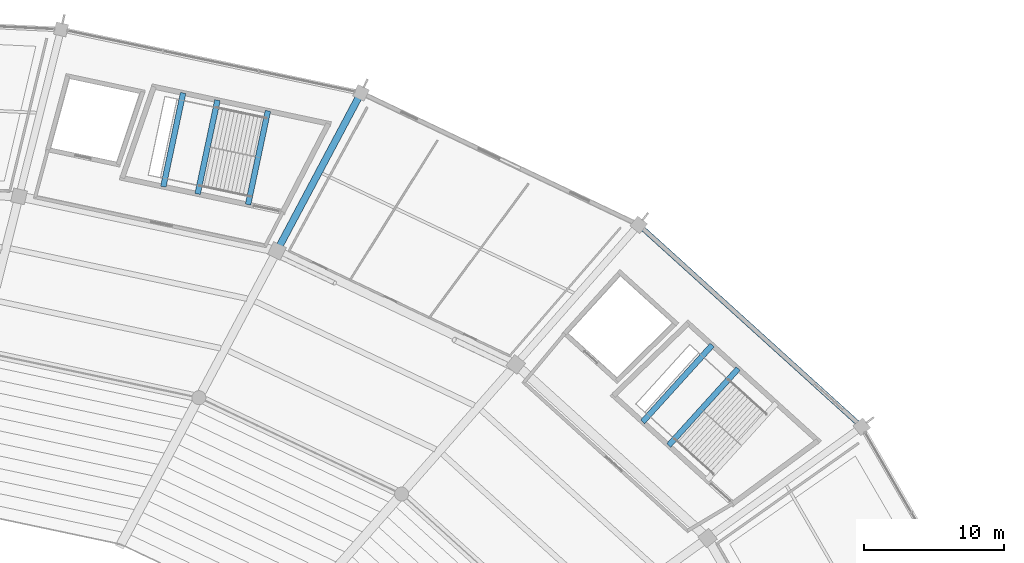
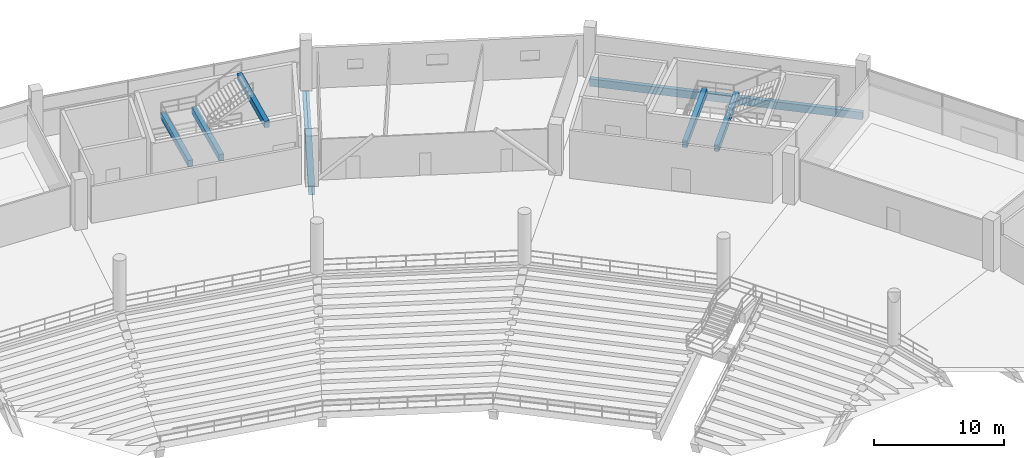
# One storey, part 92 of 156: 7 beams.
"""IFC4 building model written with IfcOpenShell, lengths in metres."""

import ifcopenshell
import ifcopenshell.guid

model = None  # the IFC model being written
_history = None  # IfcOwnerHistory: only IFC2X3 demands one
_inside = {}  # id of a spatial element -> (the spatial element, [elements in it])
_under = {}  # id of a project, library or spatial element -> (it, [spatial elements below it])
_declared = {}  # id of a project -> (the project, [libraries it declares])
_typed = {}  # id of a type object -> (the type object, [elements of that type])
_made_of = {}  # id of a material, layer set ... -> (it, [elements and type objects made of it])


def new_model(schema):
    """Start an empty IFC model of exactly this schema.

    Asked for "IFC4X3", IfcOpenShell would pick the latest addendum, in which some entities
    have other attributes; the version numbers below select the first issue.
    IFC2X3 requires an IfcOwnerHistory on every rooted entity: one is made here for all.
    """
    global model, _history
    if schema == "IFC4X3":
        model = ifcopenshell.file(schema_version=(4, 3, 0, 0))
    else:
        model = ifcopenshell.file(schema=schema)
    _inside.clear()
    _under.clear()
    _declared.clear()
    _typed.clear()
    _made_of.clear()
    _history = None
    if model.schema == "IFC2X3":
        org = make("IfcOrganization", Name="unknown")
        user = make(
            "IfcPersonAndOrganization",
            ThePerson=make("IfcPerson", FamilyName="unknown"),
            TheOrganization=org,
        )
        app = make(
            "IfcApplication",
            ApplicationDeveloper=org,
            Version="unknown",
            ApplicationFullName="unknown",
            ApplicationIdentifier="unknown",
        )
        _history = make(
            "IfcOwnerHistory",
            OwningUser=user,
            OwningApplication=app,
            ChangeAction="ADDED",
            CreationDate=0,
        )
    return model


def make(cls, **values):
    """One entity of the class cls with the attributes given. An attribute that is None is left unset."""
    return model.create_entity(
        cls, **{name: value for name, value in values.items() if value is not None}
    )


def rooted(cls, **values):
    """An entity with a GlobalId (a new one), such as an element, a storey or a relation."""
    return make(cls, GlobalId=ifcopenshell.guid.new(), OwnerHistory=_history, **values)


def si_unit(unit_type, name, prefix=None):
    """IfcSIUnit, for example si_unit("LENGTHUNIT", "METRE", prefix="MILLI")."""
    return make("IfcSIUnit", UnitType=unit_type, Prefix=prefix, Name=name)


def assignment(units):
    """IfcUnitAssignment: the units of a project."""
    return None if units is None else make("IfcUnitAssignment", Units=units)


def point(xyz):
    """IfcCartesianPoint."""
    return None if xyz is None else make("IfcCartesianPoint", Coordinates=xyz)


def direction(xyz):
    """IfcDirection."""
    return None if xyz is None else make("IfcDirection", DirectionRatios=xyz)


def frame(location, z_axis=None, x_axis=None):
    """IfcAxis2Placement3D, a coordinate frame: its origin and axes. An axis left out is left unset."""
    return make(
        "IfcAxis2Placement3D",
        Location=point(location),
        Axis=direction(z_axis),
        RefDirection=direction(x_axis),
    )


def frame_2d(location, x_axis=None):
    """IfcAxis2Placement2D, a coordinate frame in the plane: its origin and x axis."""
    return make(
        "IfcAxis2Placement2D", Location=point(location), RefDirection=direction(x_axis)
    )


def origin():
    """The frame at (0, 0, 0) with its axes left unset."""
    return frame((0.0, 0.0, 0.0))


def origin_2d():
    """The frame at (0, 0) in the plane with its x axis left unset."""
    return frame_2d((0.0, 0.0))


def place(relative_to, where):
    """IfcLocalPlacement: puts the frame where relative to a parent placement (None: the world)."""
    return make(
        "IfcLocalPlacement", PlacementRelTo=relative_to, RelativePlacement=where
    )


def context(
    kind, dimensions, precision=None, world=None, true_north=None, identifier=None
):
    """IfcGeometricRepresentationContext, for example the 3D "Model" context."""
    return make(
        "IfcGeometricRepresentationContext",
        ContextIdentifier=identifier,
        ContextType=kind,
        CoordinateSpaceDimension=dimensions,
        Precision=precision,
        WorldCoordinateSystem=world,
        TrueNorth=true_north,
    )


def subcontext(parent, identifier, kind, view, scale=None):
    """IfcGeometricRepresentationSubContext, for example "Body" below "Model"."""
    return make(
        "IfcGeometricRepresentationSubContext",
        ContextIdentifier=identifier,
        ContextType=kind,
        ParentContext=parent,
        TargetScale=scale,
        TargetView=view,
    )


def project(units=None, contexts=None):
    """IfcProject with its units and contexts."""
    return rooted(
        "IfcProject",
        Name="project",
        RepresentationContexts=contexts,
        UnitsInContext=assignment(units),
    )


def spatial(cls, under=None, at=None, **own):
    """A site, building, storey or space (cls), placed at a placement, below another one or the project."""
    s = rooted(cls, ObjectPlacement=at, **own)
    if under is not None:
        _under.setdefault(under.id(), (under, []))[1].append(s)
    return s


def profile(cls, at=None, kind="AREA", **sizes):
    """A parametric profile (cls). Its sizes go by their IFC names, for example OverallWidth=200.0."""
    return make(cls, ProfileType=kind, Position=at, **sizes)


def rectangle(**sizes):
    """IfcRectangleProfileDef."""
    return profile("IfcRectangleProfileDef", **sizes)


def extrude(swept, where, along, depth):
    """IfcExtrudedAreaSolid: the profile swept, set in the frame where, extruded along a direction by depth."""
    return make(
        "IfcExtrudedAreaSolid",
        SweptArea=swept,
        Position=where,
        ExtrudedDirection=direction(along),
        Depth=depth,
    )


def shape(context_of_items, identifier, shape_type, items):
    """IfcShapeRepresentation: the items that make up one representation, for example the "Body"."""
    return make(
        "IfcShapeRepresentation",
        ContextOfItems=context_of_items,
        RepresentationIdentifier=identifier,
        RepresentationType=shape_type,
        Items=items,
    )


def material(Name=None, Category=None):
    """IfcMaterial."""
    return make("IfcMaterial", Name=Name, Category=Category)


def material_profile(
    of_material, cross_section, Name=None, Category=None, Priority=None
):
    """IfcMaterialProfile: a cross section and its material."""
    return make(
        "IfcMaterialProfile",
        Name=Name,
        Material=of_material,
        Profile=cross_section,
        Priority=Priority,
        Category=Category,
    )


def profile_set(profiles, Name=None, composite=None):
    """IfcMaterialProfileSet."""
    return make(
        "IfcMaterialProfileSet",
        Name=Name,
        MaterialProfiles=profiles,
        CompositeProfile=composite,
    )


def made_of(thing, what):
    """Note that an element or type object is made of a material, layer set ...; save() writes the relation."""
    if what is not None:
        _made_of.setdefault(what.id(), (what, []))[1].append(thing)
    return thing


def type_object(cls, material=None, **own):
    """A type object (cls), such as IfcWallType, which elements share."""
    return made_of(rooted(cls, **own), material)


def element(
    cls,
    number,
    at=None,
    inside=None,
    cuts=None,
    type_object=None,
    material=None,
    context=None,
    identifier="Body",
    shape_type=None,
    held_by="IfcProductDefinitionShape",
    body=None,
    shapes=None,
    **own,
):
    """One element of the class cls, such as IfcWall. Its Tag is "e" and its number.

    at: its placement. inside: the storey or other place that contains it. cuts: it is an
    opening in that element (IfcRelVoidsElement). A single representation is given by context,
    identifier, shape_type and body (its items); several are given by shapes. held_by: the class
    of the entity that holds the representations. save() writes the other relations.
    """
    e = rooted(cls, Tag="e%d" % number, ObjectPlacement=at, **own)
    if body is not None:
        shapes = [shape(context, identifier, shape_type, body)]
    if shapes is not None:
        e.Representation = make(held_by, Representations=shapes)
    if inside is not None:
        _inside.setdefault(inside.id(), (inside, []))[1].append(e)
    if cuts is not None:
        rooted(
            "IfcRelVoidsElement", RelatingBuildingElement=cuts, RelatedOpeningElement=e
        )
    if type_object is not None:
        _typed.setdefault(type_object.id(), (type_object, []))[1].append(e)
    return made_of(e, material)


def aggregate(whole, parts):
    """IfcRelAggregates: a whole, such as a stair, and the parts it consists of."""
    return rooted("IfcRelAggregates", RelatingObject=whole, RelatedObjects=parts)


def save(model, path):
    """Write the relations noted so far, then the file.

    IfcRelAggregates (storeys below a building ...), IfcRelContainedInSpatialStructure (elements
    in a storey), IfcRelDefinesByType, IfcRelAssociatesMaterial and IfcRelDeclares: one each for
    every whole, place, type object, material and project.
    """
    for whole, parts in _under.values():
        aggregate(whole, parts)
    for where, things in _inside.values():
        rooted(
            "IfcRelContainedInSpatialStructure",
            RelatedElements=things,
            RelatingStructure=where,
        )
    for kind, things in _typed.values():
        rooted("IfcRelDefinesByType", RelatedObjects=things, RelatingType=kind)
    for what, things in _made_of.values():
        rooted("IfcRelAssociatesMaterial", RelatedObjects=things, RelatingMaterial=what)
    for by, libraries in _declared.values():
        rooted("IfcRelDeclares", RelatingContext=by, RelatedDefinitions=libraries)
    model.write(path)


model = new_model("IFC4")

# Units and contexts
model_context = context("Model", 3, precision=1e-05, world=origin(), true_north=direction((0.0, 1.0)))
body_context = subcontext(model_context, "Body", "Model", "MODEL_VIEW")
ifc_project = project(units=[si_unit("LENGTHUNIT", "METRE"), si_unit("AREAUNIT", "SQUARE_METRE"), si_unit("VOLUMEUNIT", "CUBIC_METRE"), si_unit("PLANEANGLEUNIT", "RADIAN"), si_unit("MASSUNIT", "GRAM", prefix="KILO")], contexts=[model_context])

# Site, building, storey
site_placement = place(None, origin())
site = spatial("IfcSite", under=ifc_project, at=site_placement, CompositionType="ELEMENT")
building_placement = place(site_placement, origin())
building = spatial("IfcBuilding", under=site, at=building_placement, Name="Kazemori Nagisa Stadium", CompositionType="ELEMENT")
storey_placement = place(building_placement, frame((0.0, 0.0, 5.780029296875)))
storey = spatial("IfcBuildingStorey", under=building, at=storey_placement, Name="L01", CompositionType="ELEMENT", Elevation=5.780029296875)

# Beams
ifc_material = material(Name="Concrete C40/50 (Fc42)", Category="concrete")
ifc_material_profile_1 = material_profile(ifc_material, rectangle(XDim=0.39990234375, YDim=0.60009765625, at=origin_2d()), Name="RC-BM-400x600")
ifc_profile_set_1 = profile_set([ifc_material_profile_1], Name="Concrete C40/50 (Fc42)")
beam_type_1 = type_object("IfcBeamType", Name="Beam_BG-LND400X600", PredefinedType="BEAM", material=ifc_profile_set_1)
for number, where, z_axis, x_axis, name in (
    (1, (187.72998046875, 157.33447265625, 1.8798828125), (0.671113236271, 0.74135485707, 0.0), (-0.74135485707, 0.671113236271, 0.0), "Core stair mid-landing girder ST01-L01-1"),
    (2, (185.876708984375, 159.01220703125, 1.8798828125), (0.671113236271, 0.74135485707, 0.0), (-0.74135485707, 0.671113236271, 0.0), "Core stair mid-landing girder ST01-L01-2"),
):
    element("IfcBeam", number, at=place(storey_placement, frame(where, z_axis=z_axis, x_axis=x_axis)), inside=storey, type_object=beam_type_1, Name=name, PredefinedType="BEAM", context=body_context, shape_type="SweptSolid", body=[
        extrude(rectangle(XDim=0.39990234375, YDim=0.60009765625, at=origin_2d()), origin(), (0.0, 0.0, 1.0), 7.385986328125),
    ])
beam_1_placement = place(storey_placement, frame((154.1591796875, 175.259765625, 1.8798828125), z_axis=(0.20695595975, 0.978350259735, 0.0), x_axis=(-0.978350259735, 0.20695595975, 0.0)))
element("IfcBeam", 3, at=beam_1_placement, inside=storey, type_object=beam_type_1, Name="Core stair mid-landing girder ST11-L01-1", PredefinedType="BEAM", context=body_context, shape_type="SweptSolid", body=[
    extrude(rectangle(XDim=0.39990234375, YDim=0.60009765625, at=origin_2d()), origin(), (0.0, 0.0, 1.0), 6.83154296875),
])
for number, where, z_axis, x_axis, name in (
    (4, (151.71337890625, 175.77734375, 1.8798828125), (0.206963195966, 0.97834872899, 0.0), (-0.97834872899, 0.206963195966, 0.0), "Core stair mid-landing girder ST11-L01-2"),
    (5, (157.754638671875, 174.499267578125, 4.199951171875), (0.206963195966, 0.97834872899, 0.0), (-0.97834872899, 0.206963195966, 0.0), "Core stair arrival header girder ST11-L01"),
):
    element("IfcBeam", number, at=place(storey_placement, frame(where, z_axis=z_axis, x_axis=x_axis)), inside=storey, type_object=beam_type_1, Name=name, PredefinedType="BEAM", context=body_context, shape_type="SweptSolid", body=[
        extrude(rectangle(XDim=0.39990234375, YDim=0.60009765625, at=origin_2d()), origin(), (0.0, 0.0, 1.0), 6.831298828125),
    ])
ifc_material_profile_2 = material_profile(ifc_material, rectangle(XDim=0.5, YDim=0.85009765625, at=origin_2d()), Name="RC-BM-500x850")
ifc_profile_set_2 = profile_set([ifc_material_profile_2], Name="Concrete C40/50 (Fc42)")
beam_type_2 = type_object("IfcBeamType", Name="Beam_BG-RC500X850", PredefinedType="BEAM", material=ifc_profile_set_2)
beam_2_placement = place(storey_placement, frame((159.81201171875, 171.19921875, -0.705078125), z_axis=(0.469648511848, 0.882853484628, 0.0), x_axis=(-0.882853484628, 0.469648511848, 0.0)))
element("IfcBeam", 6, at=beam_2_placement, inside=storey, type_object=beam_type_2, Name="Radial girder BG-RC500X850 L01 R2-R3-06", PredefinedType="BEAM", context=body_context, shape_type="SweptSolid", body=[
    extrude(rectangle(XDim=0.5, YDim=0.85009765625, at=origin_2d()), origin(), (0.0, 0.0, 1.0), 12.760009765625),
])
ifc_material_profile_3 = material_profile(ifc_material, rectangle(XDim=0.35009765625, YDim=0.699951171875, at=origin_2d()), Name="RC-SP-350x700")
ifc_profile_set_3 = profile_set([ifc_material_profile_3], Name="Concrete C40/50 (Fc42)")
beam_type_3 = type_object("IfcBeamType", Name="Beam_BS-RC350X700", PredefinedType="SPANDREL", material=ifc_profile_set_3)
beam_3_placement = place(storey_placement, frame((201.495361328125, 158.667724609375, -0.630126953125), z_axis=(-0.741351531326, 0.671116910084, 0.0), x_axis=(-0.671116910084, -0.741351531326, 0.0)))
element("IfcBeam", 7, at=beam_3_placement, inside=storey, type_object=beam_type_3, Name="Ring girder BS-RC350X700 L01 R3-04", PredefinedType="SPANDREL", context=body_context, shape_type="SweptSolid", body=[
    extrude(rectangle(XDim=0.35009765625, YDim=0.699951171875, at=origin_2d()), origin(), (0.0, 0.0, 1.0), 21.44384765625),
])

save(model, "model.ifc")
